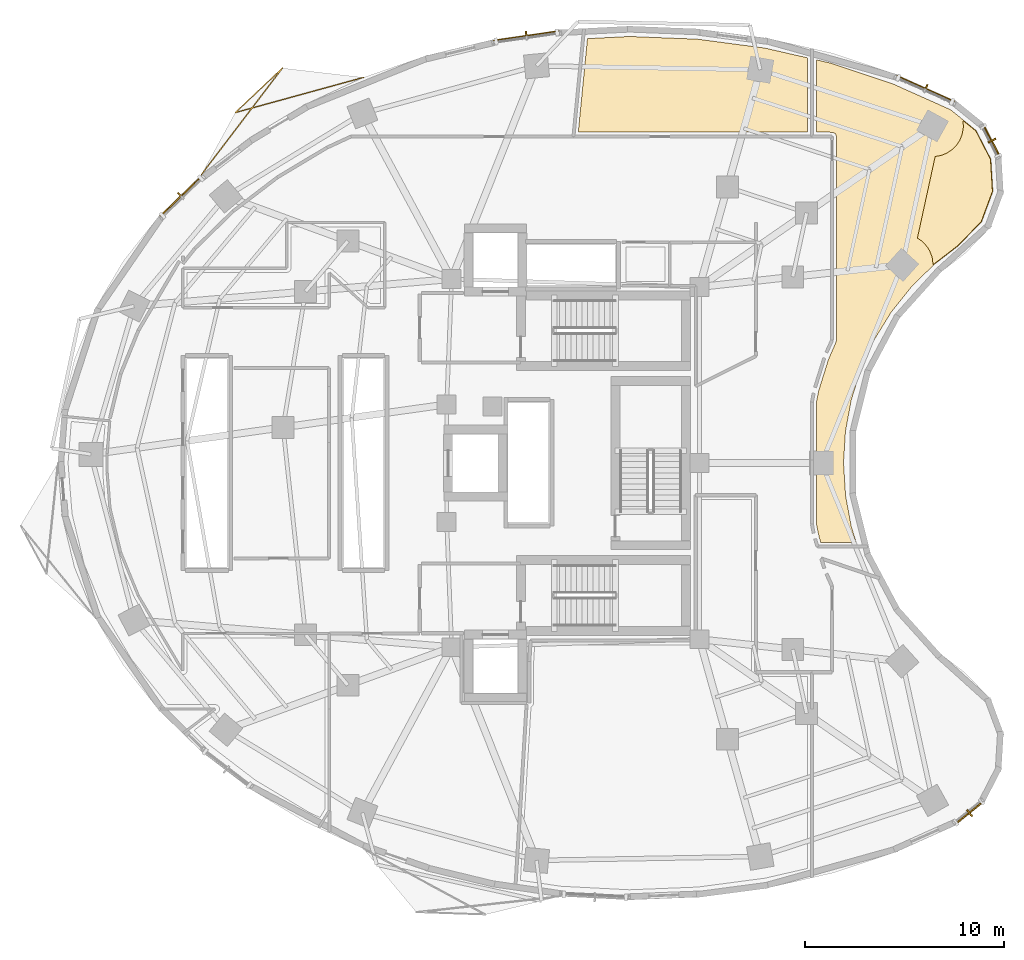
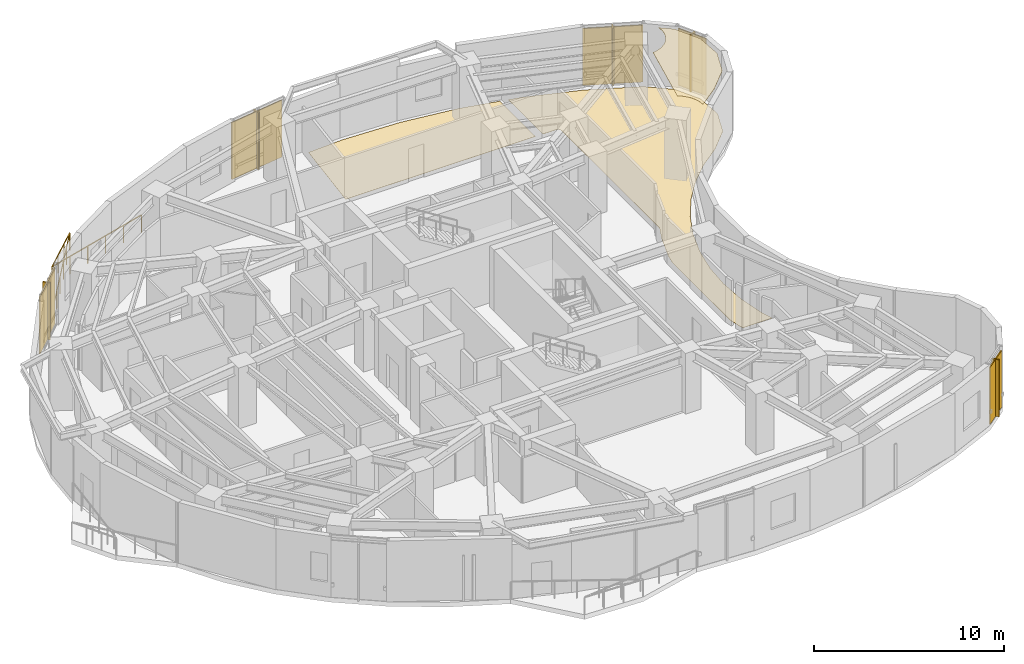
# One storey, part 13 of 13: 10 shading devices, 3 coverings, 1 railing.
"""IFC4 building model written with IfcOpenShell, lengths in metres."""

from ifc_helpers import new_model, si_unit, direction, frame, origin, origin_2d, place, context, subcontext, project, spatial, polyline, rectangle, outline, extrude, material, layer, layer_set, type_object, element, save


model = new_model("IFC4")

# Units and contexts
model_context = context("Model", 3, precision=1e-05, world=origin(), true_north=direction((0.0, 1.0)))
body_context = subcontext(model_context, "Body", "Model", "MODEL_VIEW")
ifc_project = project(units=[si_unit("LENGTHUNIT", "METRE"), si_unit("AREAUNIT", "SQUARE_METRE"), si_unit("VOLUMEUNIT", "CUBIC_METRE"), si_unit("PLANEANGLEUNIT", "RADIAN"), si_unit("MASSUNIT", "GRAM", prefix="KILO")], contexts=[model_context])

# Site, building, storey
site_placement = place(None, origin())
site = spatial("IfcSite", under=ifc_project, at=site_placement, CompositionType="ELEMENT")
building_placement = place(site_placement, origin())
building = spatial("IfcBuilding", under=site, at=building_placement, Name="Korentha Bioscience Tower", CompositionType="ELEMENT")
storey_placement = place(building_placement, frame((0.0, 0.0, 140.39990234375)))
storey = spatial("IfcBuildingStorey", under=building, at=storey_placement, Name="L32", CompositionType="ELEMENT", Elevation=140.39990234375)

# Railing
ifc_material_1 = material(Name="Laminated Tempered Safety Glass", Category="glass")
railing_type = type_object("IfcRailingType", Name="Laminated Glass Balcony Guardrail 1150", PredefinedType="BALUSTRADE", material=ifc_material_1)
railing_placement = place(storey_placement, frame((20.66650390625, 46.37890625, 0.0)))
element("IfcRailing", 1, at=railing_placement, inside=storey, type_object=railing_type, Name="L32 Balcony Guardrail 01", PredefinedType="BALUSTRADE", context=body_context, shape_type="SweptSolid", body=[
    extrude(rectangle(XDim=0.048095703125, YDim=0.048095703125, at=origin_2d()), frame((0.0, 0.0, 1.1259765625), z_axis=(-0.964316998133, -0.264750310883, 0.0), x_axis=(0.264750310883, -0.964316998133, 0.0)), (0.0, 0.0, 1.0), 6.67822265625),
    extrude(rectangle(XDim=0.048095703125, YDim=0.048095703125, at=origin_2d()), frame((-6.43994140625, -1.76806640625, 1.1259765625), z_axis=(0.726986123575, 0.68665215075, 0.0), x_axis=(-0.68665215075, 0.726986123575, 0.0)), (0.0, 0.0, 1.0), 3.256591796875),
    extrude(rectangle(XDim=0.048095703125, YDim=0.048095703125, at=origin_2d()), frame((-4.072509765625, 0.468017578125, 1.1259765625), z_axis=(-0.605446843346, -0.795885745495, 0.0), x_axis=(0.795885745495, -0.605446843346, 0.0)), (0.0, 0.0, 1.0), 6.72412109375),
    extrude(rectangle(XDim=0.0419921875, YDim=0.0419921875, at=origin_2d()), origin(), (0.0, 0.0, 1.0), 1.101806640625),
    extrude(rectangle(XDim=0.0419921875, YDim=0.0419921875, at=origin_2d()), frame((-1.2880859375, -0.353515625, 0.0)), (0.0, 0.0, 1.0), 1.101806640625),
    extrude(rectangle(XDim=0.0419921875, YDim=0.0419921875, at=origin_2d()), frame((-2.575927734375, -0.707275390625, 0.0)), (0.0, 0.0, 1.0), 1.101806640625),
    extrude(rectangle(XDim=0.0419921875, YDim=0.0419921875, at=origin_2d()), frame((-3.864013671875, -1.060791015625, 0.0)), (0.0, 0.0, 1.0), 1.101806640625),
    extrude(rectangle(XDim=0.0419921875, YDim=0.0419921875, at=origin_2d()), frame((-5.15185546875, -1.41455078125, 0.0)), (0.0, 0.0, 1.0), 1.101806640625),
    extrude(rectangle(XDim=0.0419921875, YDim=0.0419921875, at=origin_2d()), frame((-6.43994140625, -1.76806640625, 0.0)), (0.0, 0.0, 1.0), 1.101806640625),
    extrude(rectangle(XDim=0.0419921875, YDim=0.0419921875, at=origin_2d()), frame((-5.65087890625, -1.022705078125, 0.0)), (0.0, 0.0, 1.0), 1.101806640625),
    extrude(rectangle(XDim=0.0419921875, YDim=0.0419921875, at=origin_2d()), frame((-4.861572265625, -0.27734375, 0.0)), (0.0, 0.0, 1.0), 1.101806640625),
    extrude(rectangle(XDim=0.0419921875, YDim=0.0419921875, at=origin_2d()), frame((-4.072509765625, 0.468017578125, 0.0)), (0.0, 0.0, 1.0), 1.101806640625),
    extrude(rectangle(XDim=0.0419921875, YDim=0.0419921875, at=origin_2d()), frame((-4.88671875, -0.602294921875, 0.0)), (0.0, 0.0, 1.0), 1.101806640625),
    extrude(rectangle(XDim=0.0419921875, YDim=0.0419921875, at=origin_2d()), frame((-5.700927734375, -1.672607421875, 0.0)), (0.0, 0.0, 1.0), 1.101806640625),
    extrude(rectangle(XDim=0.0419921875, YDim=0.0419921875, at=origin_2d()), frame((-6.51513671875, -2.742919921875, 0.0)), (0.0, 0.0, 1.0), 1.101806640625),
    extrude(rectangle(XDim=0.0419921875, YDim=0.0419921875, at=origin_2d()), frame((-7.329345703125, -3.813232421875, 0.0)), (0.0, 0.0, 1.0), 1.101806640625),
    extrude(rectangle(XDim=0.0419921875, YDim=0.0419921875, at=origin_2d()), frame((-8.1435546875, -4.883544921875, 0.0)), (0.0, 0.0, 1.0), 1.101806640625),
])

# Covering
ifc_material_2 = material(Name="Antimicrobial Mineral Fibre Board", Category="gypsum")
ifc_layer_1 = layer(ifc_material_2, 0.034912109375, Name="Antimicrobial Mineral Fibre Board")
ifc_layer_set_1 = layer_set([ifc_layer_1], Name="Antimicrobial Mineral Fibre Board (CL-MF35)")
covering_type_1 = type_object("IfcCoveringType", Name="Mineral-Fibre Cleanroom Suspended Ceiling 35", PredefinedType="CEILING", material=ifc_layer_set_1)
covering_1_placement = place(storey_placement, frame((0.0, 0.0, 3.864990234375)))
element("IfcCovering", 2, at=covering_1_placement, inside=storey, type_object=covering_type_1, Name="L32 Neurobiology Electrophysiology Lab 06 Acoustic Ceiling", PredefinedType="CEILING", context=body_context, shape_type="SweptSolid", body=[
    extrude(outline(polyline([(51.43408203125, 43.69140625), (52.1708984375, 42.260009765625), (52.267822265625, 40.65283203125), (51.708740234375, 39.14306640625), (50.536376953125, 37.93359375), (49.28564453125, 36.968505859375), (49.25634765625, 37.26220703125), (49.219482421875, 37.40966796875), (49.10302734375, 37.6904296875), (49.02490234375, 37.82080078125), (48.83203125, 38.055908203125), (48.719482421875, 38.157958984375), (48.49951171875, 38.30712890625), (49.39208984375, 42.403564453125), (49.708740234375, 42.463623046875), (49.989501953125, 42.579833984375), (50.2421875, 42.748779296875), (50.45703125, 42.963623046875), (50.625732421875, 43.21630859375), (50.7421875, 43.4970703125), (50.80126953125, 43.794921875), (50.808837890625, 43.947021484375), (50.78369140625, 44.218017578125), (51.43408203125, 43.69140625)])), origin(), (0.0, 0.0, 1.0), 0.03515625),
])

# Shading devices
ifc_material_3 = material(Name="Perforated Stone-Ceramic Composite", Category="masonry")
ifc_layer_2 = layer(ifc_material_3, 0.06494140625, Name="Perforated Stone-Ceramic Composite")
ifc_layer_set_2 = layer_set([ifc_layer_2], Name="Perforated Stone-Ceramic Composite (CS-01)")
shading_device_type_1 = type_object("IfcShadingDeviceType", Name="Perforated Stone-Ceramic Solar Screen Panel 65", PredefinedType="USERDEFINED", material=ifc_layer_set_2)
shading_device_1_placement = place(storey_placement, frame((48.912109375, 45.811279296875, 0.000244140625), z_axis=(0.0, 0.0, 1.0), x_axis=(-0.912686563127, 0.408660295952, 0.0)))
element("IfcShadingDevice", 3, at=shading_device_1_placement, inside=storey, type_object=shading_device_type_1, Name="CW-L32-01 Perforated Stone-Ceramic Solar Screen", ObjectType="SCREEN", PredefinedType="USERDEFINED", context=body_context, shape_type="SweptSolid", body=[
    extrude(rectangle(XDim=3.1806640625, YDim=0.06494140625, at=origin_2d()), origin(), (0.0, 0.0, 1.0), 3.64990234375),
])
shading_device_2_placement = place(storey_placement, frame((28.85888671875, 48.46240234375, 0.000244140625), z_axis=(0.0, 0.0, 1.0), x_axis=(-0.989738282326, -0.14289203091, 0.0)))
element("IfcShadingDevice", 4, at=shading_device_2_placement, inside=storey, type_object=shading_device_type_1, Name="CW-L32-07 Perforated Stone-Ceramic Solar Screen", ObjectType="SCREEN", PredefinedType="USERDEFINED", context=body_context, shape_type="SweptSolid", body=[
    extrude(rectangle(XDim=3.351318359375, YDim=0.06494140625, at=origin_2d()), origin(), (0.0, 0.0, 1.0), 3.64990234375),
])
shading_device_3_placement = place(storey_placement, frame((11.497314453125, 40.41162109375, 0.000244140625), z_axis=(0.0, 0.0, 1.0), x_axis=(-0.716095631804, -0.698002182025, 0.0)))
element("IfcShadingDevice", 5, at=shading_device_3_placement, inside=storey, type_object=shading_device_type_1, Name="CW-L32-13 Perforated Stone-Ceramic Solar Screen", ObjectType="SCREEN", PredefinedType="USERDEFINED", context=body_context, shape_type="SweptSolid", body=[
    extrude(rectangle(XDim=2.8818359375, YDim=0.06494140625, at=origin_2d()), origin(), (0.0, 0.0, 1.0), 3.64990234375),
])
for number, where, z_axis, x_axis, name in (
    (6, (51.1103515625, 9.428955078125, 0.000244140625), (0.0, 0.0, 1.0), (0.777315301098, 0.629111216463, 0.0), "CW-L32-37 Perforated Stone-Ceramic Solar Screen"),
    (7, (52.2294921875, 43.1953125, 0.000244140625), (0.0, 0.0, 1.0), (-0.457613117169, 0.889151412862, 0.0), "CW-L32-61 Perforated Stone-Ceramic Solar Screen"),
):
    element("IfcShadingDevice", number, at=place(storey_placement, frame(where, z_axis=z_axis, x_axis=x_axis)), inside=storey, type_object=shading_device_type_1, Name=name, ObjectType="SCREEN", PredefinedType="USERDEFINED", context=body_context, shape_type="SweptSolid", body=[
        extrude(rectangle(XDim=1.737548828125, YDim=0.06494140625, at=origin_2d()), origin(), (0.0, 0.0, 1.0), 3.64990234375),
    ])

# Coverings
ifc_material_4 = material(Name="Chemical-Resistant Epoxy Resin", Category="polymer")
ifc_layer_3 = layer(ifc_material_4, 0.011962890625, Name="Chemical-Resistant Epoxy Resin")
ifc_layer_set_3 = layer_set([ifc_layer_3], Name="Chemical-Resistant Epoxy Resin (FL-EPX)")
covering_type_2 = type_object("IfcCoveringType", Name="Seamless Epoxy Laboratory Flooring 12", PredefinedType="FLOORING", material=ifc_layer_set_3)
covering_2_placement = place(storey_placement, origin())
element("IfcCovering", 8, at=covering_2_placement, inside=storey, type_object=covering_type_2, Name="L32 Neurobiology Electrophysiology Lab 06 Floor Finish", PredefinedType="FLOORING", context=body_context, shape_type="SweptSolid", body=[
    extrude(outline(polyline([(43.422119140625, 30.0419921875), (43.534912109375, 30.620849609375), (44.03271484375, 32.212646484375), (44.413818359375, 33.09033203125), (44.429931640625, 33.175048828125), (44.4296875, 43.411865234375), (44.41650390625, 43.477783203125), (44.37060546875, 43.55419921875), (44.25537109375, 43.623291015625), (43.422119140625, 43.6298828125), (43.422119140625, 47.26220703125), (44.1171875, 47.103515625), (47.25439453125, 46.060546875), (50.164794921875, 44.757568359375), (51.4580078125, 43.7109375), (52.200439453125, 42.26806640625), (52.29833984375, 40.6484375), (51.734619140625, 39.126708984375), (50.556396484375, 37.9111328125), (49.31884765625, 36.958251953125), (48.20166015625, 35.861083984375), (47.191650390625, 34.596923828125), (46.343017578125, 33.21728515625), (45.6728515625, 31.751953125), (45.173828125, 30.165283203125), (44.885009765625, 28.592529296875), (44.78857421875, 27.0244140625), (44.89013671875, 25.36572265625), (45.17578125, 23.824462890625), (45.426025390625, 23.022216796875), (43.6435546875, 23.02197265625), (43.568603515625, 23.259521484375), (43.422119140625, 23.9580078125), (43.422119140625, 30.0419921875)])), origin(), (0.0, 0.0, 1.0), 0.01220703125),
])
covering_3_placement = place(storey_placement, origin())
element("IfcCovering", 9, at=covering_3_placement, inside=storey, type_object=covering_type_2, Name="L32 Bio-Printing Tissue Engineering Lab 08 Floor Finish", PredefinedType="FLOORING", context=body_context, shape_type="SweptSolid", body=[
    extrude(outline(polyline([(34.030517578125, 48.436767578125), (37.456298828125, 48.300537109375), (40.835205078125, 47.85400390625), (42.971923828125, 47.365234375), (42.971923828125, 43.6298828125), (31.46142578125, 43.6298828125), (31.922119140625, 48.328125), (34.030517578125, 48.436767578125)])), origin(), (0.0, 0.0, 1.0), 0.01220703125),
])

# Shading devices
ifc_material_5 = material(Name="Honed Travertine Limestone", Category="masonry")
ifc_layer_4 = layer(ifc_material_5, 0.080078125, Name="Honed Travertine Limestone")
ifc_layer_set_4 = layer_set([ifc_layer_4], Name="Honed Travertine Limestone (CS-02)")
shading_device_type_2 = type_object("IfcShadingDeviceType", Name="Vertical Honed Limestone Sunshade Fin 80x420", PredefinedType="USERDEFINED", material=ifc_layer_set_4)
for number, where, z_axis, x_axis, name in (
    (10, (48.92041015625, 45.82958984375, 0.000244140625), (0.0, 0.0, 1.0), (-0.912686563127, 0.408660295952, 0.0), "CW-L32-01 Limestone Sunshade Fin"),
    (11, (28.856201171875, 48.482421875, 0.000244140625), (0.0, 0.0, 1.0), (-0.989738282326, -0.14289203091, 0.0), "CW-L32-07 Limestone Sunshade Fin"),
    (12, (11.483154296875, 40.42578125, 0.000244140625), (0.0, 0.0, 1.0), (-0.716095631804, -0.698002182025, 0.0), "CW-L32-13 Limestone Sunshade Fin"),
    (13, (51.122802734375, 9.413330078125, 0.000244140625), (0.0, 0.0, 1.0), (0.777315301098, 0.629111216463, 0.0), "CW-L32-37 Limestone Sunshade Fin"),
    (14, (52.2470703125, 43.20458984375, 0.000244140625), (0.0, 0.0, 1.0), (-0.457613117169, 0.889151412862, 0.0), "CW-L32-61 Limestone Sunshade Fin"),
):
    element("IfcShadingDevice", number, at=place(storey_placement, frame(where, z_axis=z_axis, x_axis=x_axis)), inside=storey, type_object=shading_device_type_2, Name=name, ObjectType="SCREEN", PredefinedType="USERDEFINED", context=body_context, shape_type="SweptSolid", body=[
        extrude(rectangle(XDim=0.080078125, YDim=0.419921875, at=origin_2d()), origin(), (0.0, 0.0, 1.0), 3.64990234375),
    ])

save(model, "model.ifc")
